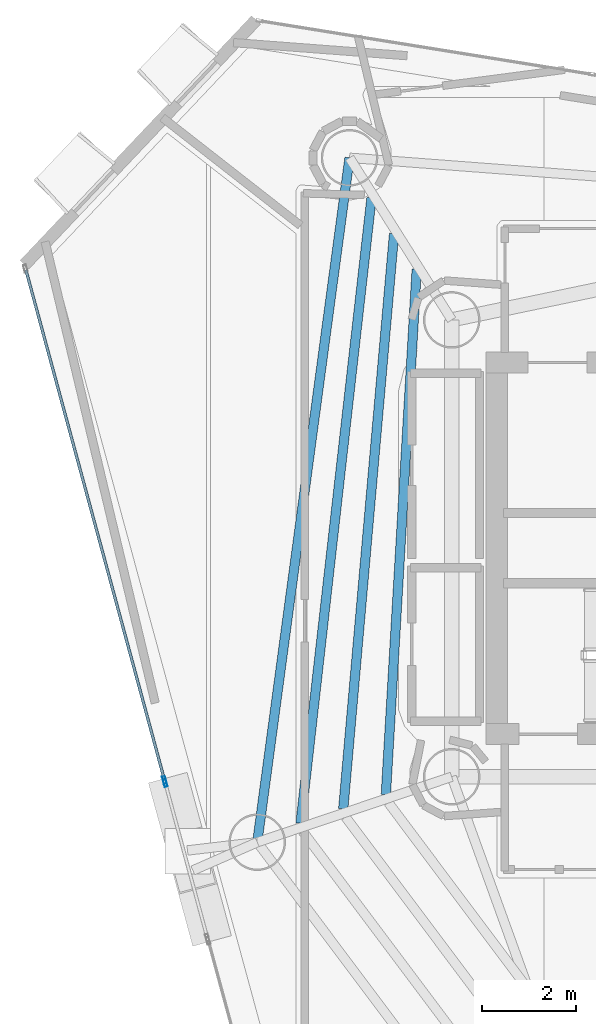
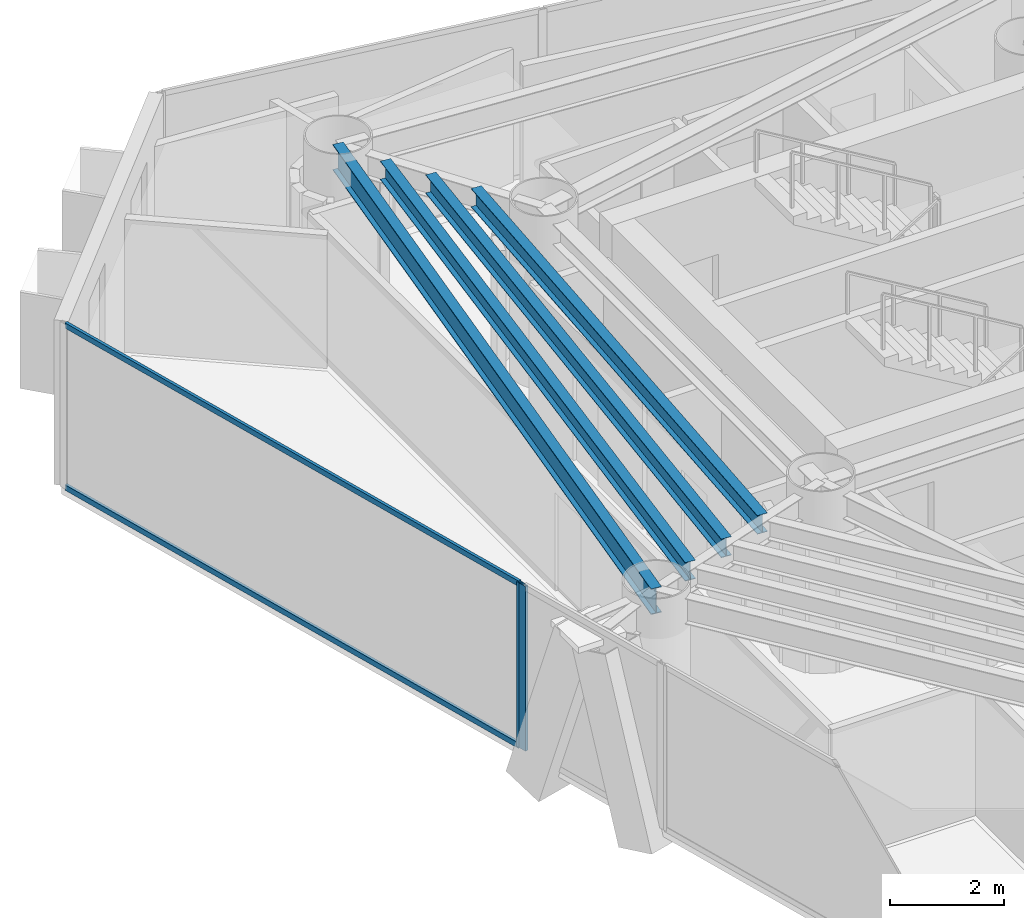
# One storey, part 7 of 21: 4 beams, 4 members, 2 elements without a shape of their own.
"""IFC4 building model written with IfcOpenShell, lengths in metres."""

from ifc_helpers import new_model, si_unit, direction, frame, origin, origin_2d, place, context, subcontext, project, spatial, hollow_rectangle, i_section, extrude, material, layer, layer_set, material_profile, profile_set, type_object, element, aggregate, save


model = new_model("IFC4")

# Units and contexts
model_context = context("Model", 3, precision=1e-05, world=origin(), true_north=direction((0.0, 1.0)))
body_context = subcontext(model_context, "Body", "Model", "MODEL_VIEW")
ifc_project = project(units=[si_unit("LENGTHUNIT", "METRE"), si_unit("AREAUNIT", "SQUARE_METRE"), si_unit("VOLUMEUNIT", "CUBIC_METRE"), si_unit("PLANEANGLEUNIT", "RADIAN"), si_unit("MASSUNIT", "GRAM", prefix="KILO")], contexts=[model_context])

# Site, building, storey
site_placement = place(None, origin())
site = spatial("IfcSite", under=ifc_project, at=site_placement, CompositionType="ELEMENT")
building_placement = place(site_placement, origin())
building = spatial("IfcBuilding", under=site, at=building_placement, Name="Qianvela Tower", CompositionType="ELEMENT")
storey_placement = place(building_placement, frame((0.0, 0.0, 211.39990234375)))
storey = spatial("IfcBuildingStorey", under=building, at=storey_placement, Name="L54", CompositionType="ELEMENT", Elevation=211.39990234375)

# Beams
ifc_material_1 = material(Name="Steel Q355B", Category="steel")
ifc_material_profile_1 = material_profile(ifc_material_1, i_section(OverallWidth=0.199951171875, OverallDepth=0.39990234375, WebThickness=0.008056640625, FlangeThickness=0.012939453125, at=origin_2d()), Name="HN400x200x8x13")
ifc_profile_set_1 = profile_set([ifc_material_profile_1], Name="Steel Q355B")
beam_type_1 = type_object("IfcBeamType", Name="BM-HN400-JOIST", PredefinedType="JOIST", material=ifc_profile_set_1)
beam_1_placement = place(storey_placement, frame((27.85693359375, 34.62451171875, 3.318115234375), z_axis=(-0.05861696358, -0.998280547532, 0.0), x_axis=(0.998280547532, -0.05861696358, 0.0)))
element("IfcBeam", 1, at=beam_1_placement, inside=storey, type_object=beam_type_1, Name="L54 Secondary Composite Floor Joist 3.1", PredefinedType="JOIST", context=body_context, shape_type="SweptSolid", body=[
    extrude(i_section(OverallWidth=0.199951171875, OverallDepth=0.39990234375, WebThickness=0.008056640625, FlangeThickness=0.012939453125, at=origin_2d()), origin(), (0.0, 0.0, 1.0), 11.170654296875),
])
beam_2_placement = place(storey_placement, frame((27.376953125, 35.3818359375, 3.318115234375), z_axis=(-0.088081491788, -0.996113272075, 0.0), x_axis=(0.996113272075, -0.088081491788, 0.0)))
element("IfcBeam", 2, at=beam_2_placement, inside=storey, type_object=beam_type_1, Name="L54 Secondary Composite Floor Joist 3.2", PredefinedType="JOIST", context=body_context, shape_type="SweptSolid", body=[
    extrude(i_section(OverallWidth=0.199951171875, OverallDepth=0.39990234375, WebThickness=0.008056640625, FlangeThickness=0.012939453125, at=origin_2d()), origin(), (0.0, 0.0, 1.0), 12.26220703125),
])
beam_3_placement = place(storey_placement, frame((26.8974609375, 36.139404296875, 3.318115234375), z_axis=(-0.112721124494, -0.993626664343, 0.0), x_axis=(0.993626664343, -0.112721124494, 0.0)))
element("IfcBeam", 3, at=beam_3_placement, inside=storey, type_object=beam_type_1, Name="L54 Secondary Composite Floor Joist 3.3", PredefinedType="JOIST", context=body_context, shape_type="SweptSolid", body=[
    extrude(i_section(OverallWidth=0.199951171875, OverallDepth=0.39990234375, WebThickness=0.008056640625, FlangeThickness=0.012939453125, at=origin_2d()), origin(), (0.0, 0.0, 1.0), 13.363525390625),
])
ifc_material_2 = material(Name="Steel Q355B", Category="steel")
ifc_material_profile_2 = material_profile(ifc_material_2, i_section(OverallWidth=0.199951171875, OverallDepth=0.550048828125, WebThickness=0.010009765625, FlangeThickness=0.01611328125, at=origin_2d()), Name="HN550x200x10x16")
ifc_profile_set_2 = profile_set([ifc_material_profile_2], Name="Steel Q355B")
beam_type_2 = type_object("IfcBeamType", Name="BM-HN550-GIRD", PredefinedType="BEAM", material=ifc_profile_set_2)
beam_4_placement = place(storey_placement, frame((26.430908203125, 36.991943359375, 3.2431640625), z_axis=(-0.133596613255, -0.991035793968, 0.0), x_axis=(0.991035793968, -0.133596613255, 0.0)))
element("IfcBeam", 4, at=beam_4_placement, inside=storey, type_object=beam_type_2, Name="L54 Perimeter Ring Spandrel Girder 3", PredefinedType="BEAM", context=body_context, shape_type="SweptSolid", body=[
    extrude(i_section(OverallWidth=0.199951171875, OverallDepth=0.550048828125, WebThickness=0.010009765625, FlangeThickness=0.01611328125, at=origin_2d()), origin(), (0.0, 0.0, 1.0), 14.663330078125),
])

# Curtain wall, member
ifc_material_3 = material(Name="Anodised Architectural Aluminium and Insulated Spandrel Panel", Category="aluminium")
ifc_layer_1 = layer(ifc_material_3, 0.179931640625)
ifc_layer_set_1 = layer_set([ifc_layer_1], Name="Anodised Architectural Aluminium and Insulated Spandrel Panel")
curtain_wall_type_1 = type_object("IfcCurtainWallType", Name="CW-BRACEBAY", PredefinedType="USERDEFINED", material=ifc_layer_set_1)
curtain_wall_1_placement = place(storey_placement, origin())
curtain_wall_1 = element("IfcCurtainWall", 5, at=curtain_wall_1_placement, inside=storey, type_object=curtain_wall_type_1, Name="L54 CW-BRACEBAY Curtain Wall 04B", ObjectType="CURTAIN_WALL_SYSTEM", PredefinedType="USERDEFINED")
ifc_material_4 = material(Name="Anodised Architectural Aluminium 6063-T6", Category="aluminium")
ifc_material_profile_3 = material_profile(ifc_material_4, hollow_rectangle(XDim=0.06494140625, YDim=0.159912109375, WallThickness=0.0048828125, at=origin_2d()), Name="ALU-MULL-65x160")
ifc_profile_set_3 = profile_set([ifc_material_profile_3], Name="Anodised Architectural Aluminium 6063-T6")
member_type_1 = type_object("IfcMemberType", Name="CW-BRACEBAY-MULL", PredefinedType="MULLION", material=ifc_profile_set_3)
member_1_placement = place(storey_placement, frame((22.518310546875, 23.717529296875, 0.0), z_axis=(0.0, 0.0, 1.0), x_axis=(0.965016092267, 0.262190658997, 0.0)))
member_1 = element("IfcMember", 6, at=member_1_placement, type_object=member_type_1, Name="CW-9 mullion 1", PredefinedType="MULLION", context=body_context, shape_type="SweptSolid", body=[
    extrude(hollow_rectangle(XDim=0.06494140625, YDim=0.159912109375, WallThickness=0.0048828125, at=origin_2d()), origin(), (0.0, 0.0, 1.0), 3.52001953125),
])
aggregate(curtain_wall_1, [member_1])

# Curtain wall, members
ifc_material_5 = material(Name="Anodised Architectural Aluminium and Low-E Glass", Category="aluminium")
ifc_layer_2 = layer(ifc_material_5, 0.159912109375)
ifc_layer_set_2 = layer_set([ifc_layer_2], Name="Anodised Architectural Aluminium and Low-E Glass")
curtain_wall_type_2 = type_object("IfcCurtainWallType", Name="CW-COLIV-Z56", PredefinedType="USERDEFINED", material=ifc_layer_set_2)
curtain_wall_2_placement = place(storey_placement, origin())
curtain_wall_2 = element("IfcCurtainWall", 7, at=curtain_wall_2_placement, inside=storey, type_object=curtain_wall_type_2, Name="L54 CW-COLIV-Z56 Curtain Wall 04A", ObjectType="CURTAIN_WALL_SYSTEM", PredefinedType="USERDEFINED")
ifc_material_6 = material(Name="Anodised Architectural Aluminium 6063-T6", Category="aluminium")
ifc_material_profile_4 = material_profile(ifc_material_6, hollow_rectangle(XDim=0.06494140625, YDim=0.159912109375, WallThickness=0.0048828125, at=origin_2d()), Name="ALU-MULL-65x160")
ifc_profile_set_4 = profile_set([ifc_material_profile_4], Name="Anodised Architectural Aluminium 6063-T6")
member_type_2 = type_object("IfcMemberType", Name="CW-COLIV-Z56-MULL", PredefinedType="MULLION", material=ifc_profile_set_4)
member_2_placement = place(storey_placement, frame((22.50146484375, 23.7802734375, 0.0), z_axis=(0.0, 0.0, 1.0), x_axis=(0.965015554401, 0.262192638655, 0.0)))
member_2 = element("IfcMember", 8, at=member_2_placement, type_object=member_type_2, Name="CW-5 mullion 2", PredefinedType="MULLION", context=body_context, shape_type="SweptSolid", body=[
    extrude(hollow_rectangle(XDim=0.06494140625, YDim=0.159912109375, WallThickness=0.0048828125, at=origin_2d()), origin(), (0.0, 0.0, 1.0), 3.52001953125),
])
ifc_material_7 = material(Name="Anodised Architectural Aluminium 6063-T6", Category="aluminium")
ifc_material_profile_5 = material_profile(ifc_material_7, hollow_rectangle(XDim=0.06005859375, YDim=0.114990234375, WallThickness=0.00390625, at=origin_2d()), Name="ALU-TRAN-60x115")
ifc_profile_set_5 = profile_set([ifc_material_profile_5], Name="Anodised Architectural Aluminium 6063-T6")
member_type_3 = type_object("IfcMemberType", Name="CW-COLIV-Z56-TRAN", PredefinedType="USERDEFINED", material=ifc_profile_set_5)
member_3_placement = place(storey_placement, frame((19.558837890625, 34.610107421875, 0.030029296875), z_axis=(0.262203467541, -0.96501261215, 0.0), x_axis=(0.96501261215, 0.262203467541, 0.0)))
member_3 = element("IfcMember", 9, at=member_3_placement, type_object=member_type_3, Name="CW-5 transom 1.1", ObjectType="TRANSOM", PredefinedType="USERDEFINED", context=body_context, shape_type="SweptSolid", body=[
    extrude(hollow_rectangle(XDim=0.06005859375, YDim=0.114990234375, WallThickness=0.00390625, at=origin_2d()), origin(), (0.0, 0.0, 1.0), 11.190185546875),
])
member_4_placement = place(storey_placement, frame((19.558837890625, 34.610107421875, 3.489990234375), z_axis=(0.262203467541, -0.96501261215, 0.0), x_axis=(0.96501261215, 0.262203467541, 0.0)))
member_4 = element("IfcMember", 10, at=member_4_placement, type_object=member_type_3, Name="CW-5 transom 1.2", ObjectType="TRANSOM", PredefinedType="USERDEFINED", context=body_context, shape_type="SweptSolid", body=[
    extrude(hollow_rectangle(XDim=0.06005859375, YDim=0.114990234375, WallThickness=0.00390625, at=origin_2d()), origin(), (0.0, 0.0, 1.0), 11.190185546875),
])
aggregate(curtain_wall_2, [member_2, member_3, member_4])

save(model, "model.ifc")
